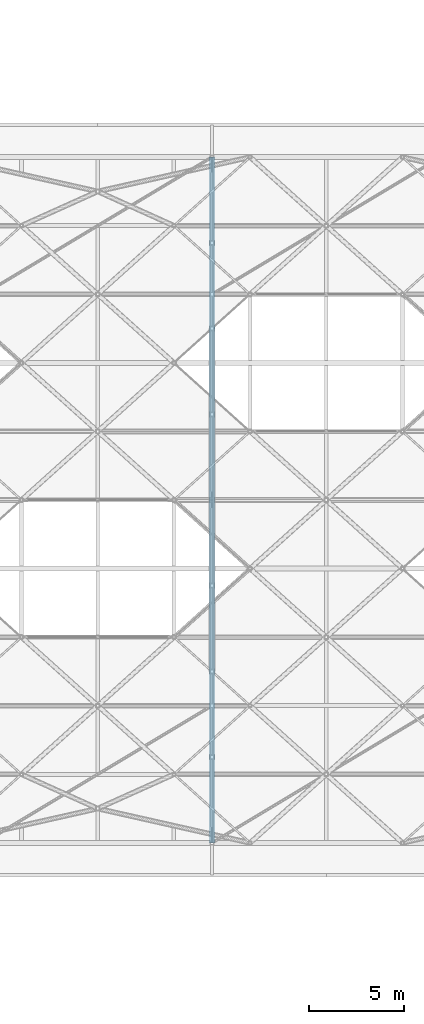
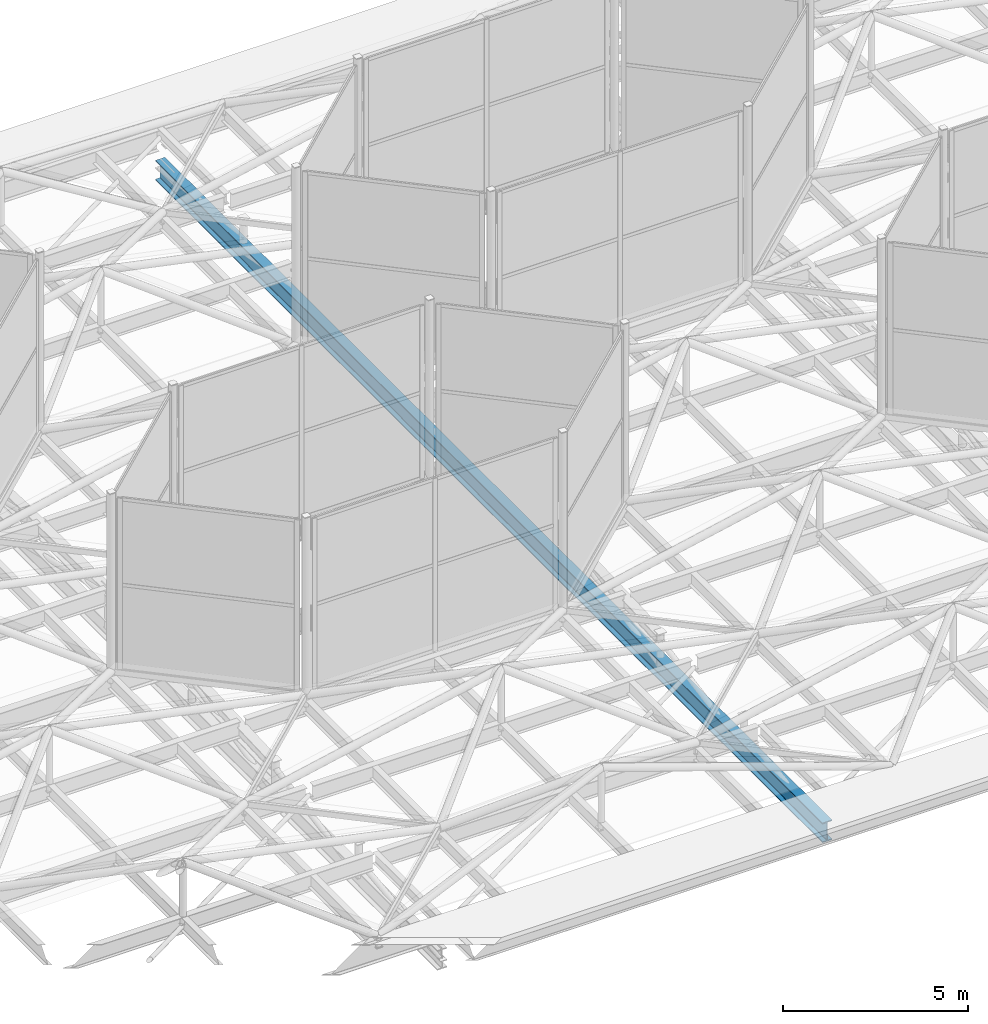
# One storey, part 100 of 239: 1 beam.
"""IFC4 building model written with IfcOpenShell, lengths in metres."""

from ifc_helpers import new_model, si_unit, direction, frame, origin, origin_2d, place, context, subcontext, project, spatial, i_section, extrude, material, material_profile, profile_set, type_object, element, save


model = new_model("IFC4")

# Units and contexts
model_context = context("Model", 3, precision=1e-05, world=origin(), true_north=direction((0.0, 1.0)))
body_context = subcontext(model_context, "Body", "Model", "MODEL_VIEW")
ifc_project = project(units=[si_unit("LENGTHUNIT", "METRE"), si_unit("AREAUNIT", "SQUARE_METRE"), si_unit("VOLUMEUNIT", "CUBIC_METRE"), si_unit("PLANEANGLEUNIT", "RADIAN"), si_unit("MASSUNIT", "GRAM", prefix="KILO")], contexts=[model_context])

# Site, building, storey
site_placement = place(None, origin())
site = spatial("IfcSite", under=ifc_project, at=site_placement, CompositionType="ELEMENT")
building_placement = place(site_placement, origin())
building = spatial("IfcBuilding", under=site, at=building_placement, Name="Dunvalen Ferry Terminal", CompositionType="ELEMENT")
storey_placement = place(building_placement, frame((0.0, 0.0, 9.840087890625)))
storey = spatial("IfcBuildingStorey", under=building, at=storey_placement, Name="L02", CompositionType="ELEMENT", Elevation=9.840087890625)

# Beam
ifc_material = material(Name="Steel S355", Category="steel")
ifc_material_profile = material_profile(ifc_material, i_section(OverallWidth=0.300048828125, OverallDepth=0.64990234375, WebThickness=0.01611328125, FlangeThickness=0.031005859375, FilletRadius=0.027099609375, at=origin_2d()), Name="Steel S355")
ifc_profile_set = profile_set([ifc_material_profile], Name="Steel S355")
beam_type = type_object("IfcBeamType", Name="STR-BM-HEB650", PredefinedType="BEAM", material=ifc_profile_set)
beam_placement = place(storey_placement, frame((60.0, 50.39990234375, -0.360107421875), z_axis=(0.0, 1.0, 0.0), x_axis=(-1.0, 0.0, 0.0)))
element("IfcBeam", 1, at=beam_placement, inside=storey, type_object=beam_type, Name="Departure Hall Tied-Arch Tie Girder 05", PredefinedType="BEAM", context=body_context, shape_type="SweptSolid", body=[
    extrude(i_section(OverallWidth=0.300048828125, OverallDepth=0.64990234375, WebThickness=0.01611328125, FlangeThickness=0.031005859375, FilletRadius=0.027099609375, at=origin_2d()), origin(), (0.0, 0.0, 1.0), 36.0),
])

save(model, "model.ifc")
